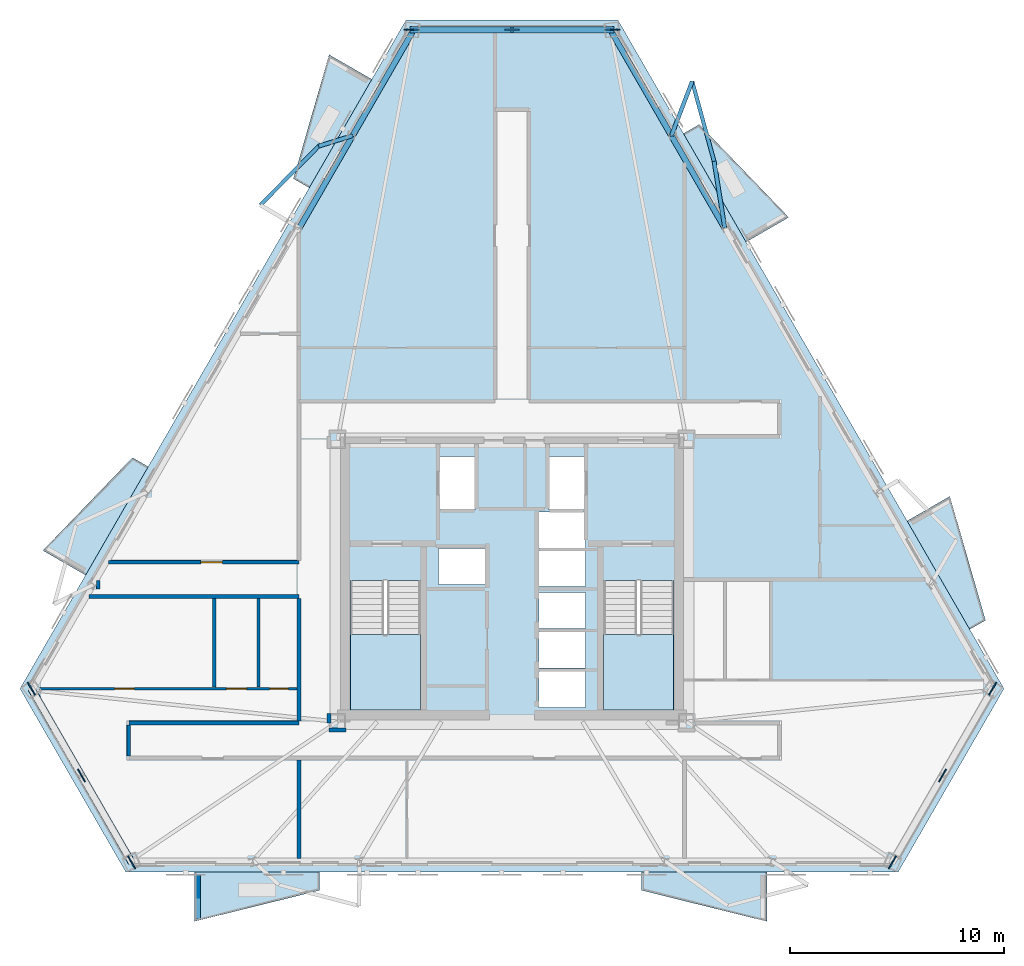
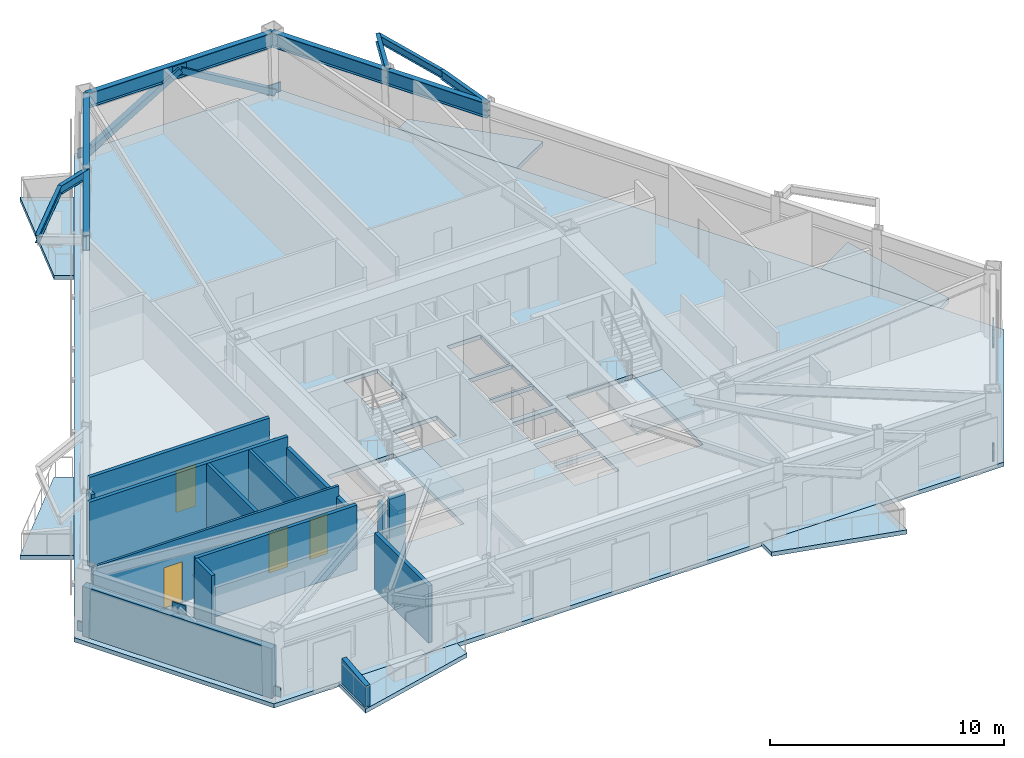
# One storey, part 2 of 9: 14 walls, 10 beams, 9 plates, 9 slabs, 4 doors, 2 members, 4 openings, 2 elements without a shape of their own.
"""IFC4 building model written with IfcOpenShell, lengths in metres."""

from ifc_helpers import new_model, si_unit, direction, frame, frame_2d, origin, origin_2d, place, context, subcontext, project, spatial, polyline, rectangle, hollow_rectangle, i_section, outline, extrude, material, layer, layer_set, material_profile, profile_set, type_object, element, fill, aggregate, save


model = new_model("IFC4")

# Units and contexts
model_context = context("Model", 3, precision=1e-05, world=origin(), true_north=direction((0.0, 1.0)))
body_context = subcontext(model_context, "Body", "Model", "MODEL_VIEW")
ifc_project = project(units=[si_unit("LENGTHUNIT", "METRE"), si_unit("AREAUNIT", "SQUARE_METRE"), si_unit("VOLUMEUNIT", "CUBIC_METRE"), si_unit("PLANEANGLEUNIT", "RADIAN"), si_unit("MASSUNIT", "GRAM", prefix="KILO")], contexts=[model_context])

# Site, building, storey
site_placement = place(None, origin())
site = spatial("IfcSite", under=ifc_project, at=site_placement, CompositionType="ELEMENT")
building_placement = place(site_placement, origin())
building = spatial("IfcBuilding", under=site, at=building_placement, Name="Oramaril Tower", CompositionType="ELEMENT")
storey_placement = place(building_placement, frame((0.0, 0.0, 153.0)))
storey = spatial("IfcBuildingStorey", under=building, at=storey_placement, Name="L40", CompositionType="ELEMENT", Elevation=153.0)

# Beams
ifc_material_1 = material(Name="Steel ASTM A572 Gr 50", Category="steel")
ifc_material_profile_1 = material_profile(ifc_material_1, i_section(OverallWidth=0.19091796875, OverallDepth=0.45703125, WebThickness=0.009033203125, FlangeThickness=0.014404296875, at=origin_2d()), Name="W18X50")
ifc_profile_set_1 = profile_set([ifc_material_profile_1], Name="Steel ASTM A572 Gr 50")
beam_type_1 = type_object("IfcBeamType", Name="BT-BB1", PredefinedType="BEAM", material=ifc_profile_set_1)
beam_1_placement = place(storey_placement, frame((47.440185546875, 34.06201171875, 3.151611328125), z_axis=(-0.157827718122, 0.987466663433, 0.0), x_axis=(-0.987466663433, -0.157827718122, 0.0)))
element("IfcBeam", 1, at=beam_1_placement, inside=storey, type_object=beam_type_1, Name="L40 Balcony Column-Framed Cantilever 04.1", PredefinedType="BEAM", context=body_context, shape_type="SweptSolid", body=[
    extrude(i_section(OverallWidth=0.19091796875, OverallDepth=0.45703125, WebThickness=0.009033203125, FlangeThickness=0.014404296875, at=origin_2d()), origin(), (0.0, 0.0, 1.0), 3.15869140625),
])
beam_2_placement = place(storey_placement, frame((44.947509765625, 38.37890625, 3.151611328125), z_axis=(0.357719031359, 0.933829264161, 0.0), x_axis=(-0.933829264161, 0.357719031359, 0.0)))
element("IfcBeam", 2, at=beam_2_placement, inside=storey, type_object=beam_type_1, Name="L40 Balcony Column-Framed Cantilever 04.2", PredefinedType="BEAM", context=body_context, shape_type="SweptSolid", body=[
    extrude(i_section(OverallWidth=0.19091796875, OverallDepth=0.45703125, WebThickness=0.009033203125, FlangeThickness=0.014404296875, at=origin_2d()), origin(), (0.0, 0.0, 1.0), 2.71435546875),
])
beam_3_placement = place(storey_placement, frame((30.052490234375, 38.37890625, 3.151611328125), z_axis=(-0.955622897752, -0.294592731228, 0.0), x_axis=(0.294592731228, -0.955622897752, 0.0)))
element("IfcBeam", 3, at=beam_3_placement, inside=storey, type_object=beam_type_1, Name="L40 Balcony Column-Framed Cantilever 05.1", PredefinedType="BEAM", context=body_context, shape_type="SweptSolid", body=[
    extrude(i_section(OverallWidth=0.19091796875, OverallDepth=0.45703125, WebThickness=0.009033203125, FlangeThickness=0.014404296875, at=origin_2d()), origin(), (0.0, 0.0, 1.0), 1.658203125),
])
ifc_material_2 = material(Name="Steel ASTM A572 Gr 50", Category="steel")
ifc_material_profile_2 = material_profile(ifc_material_2, i_section(OverallWidth=0.177978515625, OverallDepth=0.404052734375, WebThickness=0.007568359375, FlangeThickness=0.010986328125, at=origin_2d()), Name="W16X36")
ifc_profile_set_2 = profile_set([ifc_material_profile_2], Name="Steel ASTM A572 Gr 50")
beam_type_2 = type_object("IfcBeamType", Name="BT-SB1", PredefinedType="BEAM", material=ifc_profile_set_2)
for number, where, z_axis, x_axis, name in (
    (4, (46.941650390625, 37.18115234375, 3.177978515625), (-0.264382243015, 0.964417974521, 0.0), (-0.964417974521, -0.264382243015, 0.0), "L40 Balcony Edge Tie Beam 04"),
    (5, (28.4677734375, 37.890380859375, 3.177978515625), (-0.702994511648, -0.71119527318, 0.0), (0.71119527318, -0.702994511648, 0.0), "L40 Balcony Edge Tie Beam 05"),
):
    element("IfcBeam", number, at=place(storey_placement, frame(where, z_axis=z_axis, x_axis=x_axis)), inside=storey, type_object=beam_type_2, Name=name, PredefinedType="BEAM", context=body_context, shape_type="SweptSolid", body=[
        extrude(i_section(OverallWidth=0.177978515625, OverallDepth=0.404052734375, WebThickness=0.007568359375, FlangeThickness=0.010986328125, at=origin_2d()), origin(), (0.0, 0.0, 1.0), 3.8701171875),
    ])
ifc_material_3 = material(Name="Steel ASTM A572 Gr 50", Category="steel")
ifc_material_profile_3 = material_profile(ifc_material_3, i_section(OverallWidth=0.26708984375, OverallDepth=0.77001953125, WebThickness=0.015625, FlangeThickness=0.025390625, at=origin_2d()), Name="W30X132")
ifc_profile_set_3 = profile_set([ifc_material_profile_3], Name="Steel ASTM A572 Gr 50")
beam_type_3 = type_object("IfcBeamType", Name="BT-SP3", PredefinedType="SPANDREL", material=ifc_profile_set_3)
beam_4_placement = place(storey_placement, frame((47.440185546875, 34.06201171875, 2.9951171875), z_axis=(-0.500047477074, 0.865997991148, 0.0), x_axis=(-0.865997991148, -0.500047477074, 0.0)))
element("IfcBeam", 6, at=beam_4_placement, inside=storey, type_object=beam_type_3, Name="L40 Perimeter Spandrel 11", PredefinedType="SPANDREL", context=body_context, shape_type="SweptSolid", body=[
    extrude(i_section(OverallWidth=0.26708984375, OverallDepth=0.77001953125, WebThickness=0.015625, FlangeThickness=0.025390625, at=origin_2d()), origin(), (0.0, 0.0, 1.0), 4.98486328125),
])
beam_5_placement = place(storey_placement, frame((44.947509765625, 38.37890625, 2.9951171875), z_axis=(-0.49997841457, 0.866037865779, 0.0), x_axis=(-0.866037865779, -0.49997841457, 0.0)))
element("IfcBeam", 7, at=beam_5_placement, inside=storey, type_object=beam_type_3, Name="L40 Perimeter Spandrel 12", PredefinedType="SPANDREL", context=body_context, shape_type="SweptSolid", body=[
    extrude(i_section(OverallWidth=0.26708984375, OverallDepth=0.77001953125, WebThickness=0.015625, FlangeThickness=0.025390625, at=origin_2d()), origin(), (0.0, 0.0, 1.0), 5.697021484375),
])
beam_6_placement = place(storey_placement, frame((42.09912109375, 43.312744140625, 2.9951171875), z_axis=(-1.0, 0.0, 0.0), x_axis=(0.0, -1.0, 0.0)))
element("IfcBeam", 8, at=beam_6_placement, inside=storey, type_object=beam_type_3, Name="L40 Perimeter Spandrel 13", PredefinedType="SPANDREL", context=body_context, shape_type="SweptSolid", body=[
    extrude(i_section(OverallWidth=0.26708984375, OverallDepth=0.77001953125, WebThickness=0.015625, FlangeThickness=0.025390625, at=origin_2d()), origin(), (0.0, 0.0, 1.0), 9.1982421875),
])
beam_7_placement = place(storey_placement, frame((32.90087890625, 43.312744140625, 2.9951171875), z_axis=(-0.49997841457, -0.866037865779, 0.0), x_axis=(0.866037865779, -0.49997841457, 0.0)))
element("IfcBeam", 9, at=beam_7_placement, inside=storey, type_object=beam_type_3, Name="L40 Perimeter Spandrel 14", PredefinedType="SPANDREL", context=body_context, shape_type="SweptSolid", body=[
    extrude(i_section(OverallWidth=0.26708984375, OverallDepth=0.77001953125, WebThickness=0.015625, FlangeThickness=0.025390625, at=origin_2d()), origin(), (0.0, 0.0, 1.0), 5.697021484375),
])
beam_8_placement = place(storey_placement, frame((30.052490234375, 38.37890625, 2.9951171875), z_axis=(-0.500047477074, -0.865997991148, 0.0), x_axis=(0.865997991148, -0.500047477074, 0.0)))
element("IfcBeam", 10, at=beam_8_placement, inside=storey, type_object=beam_type_3, Name="L40 Perimeter Spandrel 15", PredefinedType="SPANDREL", context=body_context, shape_type="SweptSolid", body=[
    extrude(i_section(OverallWidth=0.26708984375, OverallDepth=0.77001953125, WebThickness=0.015625, FlangeThickness=0.025390625, at=origin_2d()), origin(), (0.0, 0.0, 1.0), 4.98486328125),
])

# Members
ifc_material_4 = material(Name="Steel ASTM A572 Gr 50", Category="steel")
ifc_material_profile_4 = material_profile(ifc_material_4, hollow_rectangle(XDim=0.300048828125, YDim=0.300048828125, WallThickness=0.01611328125, at=origin_2d()), Name="HSS300X300X16")
ifc_profile_set_4 = profile_set([ifc_material_profile_4], Name="Steel ASTM A572 Gr 50")
member_type = type_object("IfcMemberType", Name="MT-KB2", PredefinedType="BRACE", material=ifc_profile_set_4)
for number, where, z_axis, x_axis, name in (
    (11, (42.18212890625, 43.322021484375, 0.179931640625), (-0.857015453033, 0.0, 0.515290707526), (0.0, -1.0, 0.0), "L40 Perimeter Chevron Brace KB-3A"),
    (12, (32.81787109375, 43.322021484375, 0.179931640625), (0.857015453033, 0.0, 0.515290707526), (0.0, 1.0, 0.0), "L40 Perimeter Chevron Brace KB-3B"),
):
    element("IfcMember", number, at=place(storey_placement, frame(where, z_axis=z_axis, x_axis=x_axis)), inside=storey, type_object=member_type, Name=name, PredefinedType="BRACE", context=body_context, shape_type="SweptSolid", body=[
        extrude(hollow_rectangle(XDim=0.300048828125, YDim=0.300048828125, WallThickness=0.01611328125, at=origin_2d()), origin(), (0.0, 0.0, 1.0), 5.46337890625),
    ])

# Plates
ifc_material_5 = material(Name="Steel ASTM A572 Gr 50", Category="steel")
ifc_layer_1 = layer(ifc_material_5, 0.06005859375)
ifc_layer_set_1 = layer_set([ifc_layer_1], Name="PLT-G60")
plate_type = type_object("IfcPlateType", Name="PLT-G60", PredefinedType="USERDEFINED", material=ifc_layer_set_1)
for number, where, z_axis, x_axis, name in (
    (13, (17.38916015625, 8.489013671875, 2.755126953125), (0.0, 0.0, 1.0), (0.5, -0.866025403784, 0.0), "L40 Chevron Brace Gusset Plate BN-1"),
    (14, (15.048095703125, 12.5439453125, 0.10009765625), (0.0, 0.0, 1.0), (0.5, -0.866025403784, 0.0), "L40 Chevron Brace Gusset Plate BN-1"),
    (15, (19.730224609375, 4.43408203125, 0.10009765625), (0.0, 0.0, 1.0), (0.5, -0.866025403784, 0.0), "L40 Chevron Brace Gusset Plate BN-1"),
    (16, (57.61083984375, 8.489013671875, 2.755126953125), (0.0, 0.0, 1.0), (0.5, 0.866025403784, 0.0), "L40 Chevron Brace Gusset Plate BN-1"),
    (17, (55.269775390625, 4.43408203125, 0.10009765625), (0.0, 0.0, 1.0), (0.5, 0.866025403784, 0.0), "L40 Chevron Brace Gusset Plate BN-1"),
    (18, (59.951904296875, 12.5439453125, 0.10009765625), (0.0, 0.0, 1.0), (0.5, 0.866025403784, 0.0), "L40 Chevron Brace Gusset Plate BN-1"),
    (19, (37.5, 43.322021484375, 2.755126953125), (0.0, 0.0, 1.0), (-1.0, 0.0, 0.0), "L40 Chevron Brace Gusset Plate BN-1"),
    (20, (42.18212890625, 43.322021484375, 0.10009765625), (0.0, 0.0, 1.0), (-1.0, 0.0, 0.0), "L40 Chevron Brace Gusset Plate BN-1"),
    (21, (32.81787109375, 43.322021484375, 0.10009765625), (0.0, 0.0, 1.0), (-1.0, 0.0, 0.0), "L40 Chevron Brace Gusset Plate BN-1"),
):
    element("IfcPlate", number, at=place(storey_placement, frame(where, z_axis=z_axis, x_axis=x_axis)), inside=storey, type_object=plate_type, Name=name, ObjectType="GUSSET", PredefinedType="USERDEFINED", context=body_context, shape_type="SweptSolid", body=[
        extrude(rectangle(XDim=0.679931640625, YDim=0.06005859375, at=origin_2d()), origin(), (0.0, 0.0, 1.0), 0.47998046875),
    ])

# Slabs
ifc_material_6 = material(Name="Concrete C40/50", Category="concrete")
ifc_layer_2 = layer(ifc_material_6, 0.199951171875)
ifc_layer_set_2 = layer_set([ifc_layer_2], Name="SLT-BAL20")
slab_type_1 = type_object("IfcSlabType", Name="SLT-BAL20", PredefinedType="FLOOR", material=ifc_layer_set_2)
slab_1_placement = place(storey_placement, frame((0.0, 0.0, -0.219970703125)))
element("IfcSlab", 22, at=slab_1_placement, inside=storey, type_object=slab_type_1, Name="L40 Cantilevered Balcony Slab L40-BAL-S2", PredefinedType="FLOOR", context=body_context, shape_type="SweptSolid", body=[
    extrude(outline(polyline([(43.560302734375, 3.97607421875), (49.410400390625, 3.97607421875), (49.410400390625, 1.674072265625), (43.560302734375, 3.1240234375), (43.560302734375, 3.97607421875)])), origin(), (0.0, 0.0, 1.0), 0.219970703125),
])
slab_2_placement = place(storey_placement, frame((0.0, 0.0, -0.219970703125)))
element("IfcSlab", 23, at=slab_2_placement, inside=storey, type_object=slab_type_1, Name="L40 Cantilevered Balcony Slab L40-BAL-NE1", PredefinedType="FLOOR", context=body_context, shape_type="SweptSolid", body=[
    extrude(outline(polyline([(58.881591796875, 15.314208984375), (55.95654296875, 20.38037109375), (57.9501953125, 21.531494140625), (59.619384765625, 15.740234375), (58.881591796875, 15.314208984375)])), origin(), (0.0, 0.0, 1.0), 0.219970703125),
])
slab_3_placement = place(storey_placement, frame((0.0, 0.0, -0.219970703125)))
element("IfcSlab", 24, at=slab_3_placement, inside=storey, type_object=slab_type_1, Name="L40 Cantilevered Balcony Slab L40-BAL-NW2", PredefinedType="FLOOR", context=body_context, shape_type="SweptSolid", body=[
    extrude(outline(polyline([(20.506103515625, 22.91357421875), (17.5810546875, 17.847412109375), (15.58740234375, 18.998291015625), (19.768310546875, 23.339599609375), (20.506103515625, 22.91357421875)])), origin(), (0.0, 0.0, 1.0), 0.219970703125),
])
ifc_material_7 = material(Name="Concrete C50/60", Category="concrete")
ifc_layer_3 = layer(ifc_material_7, 0.219970703125)
ifc_layer_set_3 = layer_set([ifc_layer_3], Name="SLT-FLR22")
slab_type_2 = type_object("IfcSlabType", Name="SLT-FLR22", PredefinedType="FLOOR", material=ifc_layer_set_3)
slab_4_placement = place(storey_placement, frame((0.0, 0.0, -0.219970703125)))
element("IfcSlab", 25, at=slab_4_placement, inside=storey, type_object=slab_type_2, Name="L40 Structural Floor Slab", PredefinedType="FLOOR", context=body_context, shape_type="SweptSolid", body=[
    extrude(outline(polyline([(14.516845703125, 12.5439453125), (19.464599609375, 3.97412109375), (55.535400390625, 3.97412109375), (60.483154296875, 12.5439453125), (42.44775390625, 43.781982421875), (32.55224609375, 43.781982421875), (14.516845703125, 12.5439453125)]), holes=[polyline([(29.949951171875, 17.58935546875), (29.949951171875, 11.550048828125), (33.219970703125, 11.550048828125), (33.219970703125, 17.58935546875), (29.949951171875, 17.58935546875)]), polyline([(41.780029296875, 17.58935546875), (41.780029296875, 11.550048828125), (45.050048828125, 11.550048828125), (45.050048828125, 17.58935546875), (41.780029296875, 17.58935546875)]), polyline([(34.110107421875, 20.909912109375), (35.7900390625, 20.909912109375), (35.7900390625, 23.389892578125), (34.110107421875, 23.389892578125), (34.110107421875, 20.909912109375)]), polyline([(39.2099609375, 20.909912109375), (40.889892578125, 20.909912109375), (40.889892578125, 23.389892578125), (39.2099609375, 23.389892578125), (39.2099609375, 20.909912109375)]), polyline([(38.760009765625, 11.659912109375), (40.93994140625, 11.659912109375), (40.93994140625, 13.340087890625), (38.760009765625, 13.340087890625), (38.760009765625, 11.659912109375)]), polyline([(38.760009765625, 13.510009765625), (40.93994140625, 13.510009765625), (40.93994140625, 15.18994140625), (38.760009765625, 15.18994140625), (38.760009765625, 13.510009765625)]), polyline([(38.760009765625, 15.360107421875), (40.93994140625, 15.360107421875), (40.93994140625, 17.0400390625), (38.760009765625, 17.0400390625), (38.760009765625, 15.360107421875)]), polyline([(34.06005859375, 17.409912109375), (36.239990234375, 17.409912109375), (36.239990234375, 19.090087890625), (34.06005859375, 19.090087890625), (34.06005859375, 17.409912109375)]), polyline([(38.760009765625, 17.31005859375), (40.93994140625, 17.31005859375), (40.93994140625, 18.989990234375), (38.760009765625, 18.989990234375), (38.760009765625, 17.31005859375)]), polyline([(38.760009765625, 19.110107421875), (40.93994140625, 19.110107421875), (40.93994140625, 20.7900390625), (38.760009765625, 20.7900390625), (38.760009765625, 19.110107421875)])]), origin(), (0.0, 0.0, 1.0), 0.219970703125),
])

# Stair, slab
ifc_material_8 = material(Name="Concrete C50/60", Category="concrete")
stair_type = type_object("IfcStairType", Name="STT-DG-3600", PredefinedType="HALF_TURN_STAIR", material=ifc_material_8)
stair_1_placement = place(storey_placement, origin())
stair_1 = element("IfcStair", 26, at=stair_1_placement, inside=storey, type_object=stair_type, Name="L40 Protected PFP Exit Stair ST-1", PredefinedType="HALF_TURN_STAIR")
ifc_material_9 = material(Name="Concrete C50/60", Category="concrete")
ifc_layer_4 = layer(ifc_material_9, 0.199951171875)
ifc_layer_set_4 = layer_set([ifc_layer_4], Name="SLT-LND20")
slab_type_3 = type_object("IfcSlabType", Name="SLT-LND20", PredefinedType="LANDING", material=ifc_layer_set_4)
slab_5_placement = place(storey_placement, frame((0.0, 0.0, 1.60009765625)))
slab_5 = element("IfcSlab", 27, at=slab_5_placement, type_object=slab_type_3, Name="ST-1 landing 1", PredefinedType="LANDING", context=body_context, shape_type="SweptSolid", body=[
    extrude(outline(polyline([(29.949951171875, 15.070068359375), (29.949951171875, 11.550048828125), (33.219970703125, 11.550048828125), (33.219970703125, 15.070068359375), (29.949951171875, 15.070068359375)])), origin(), (0.0, 0.0, 1.0), 0.199951171875),
])
aggregate(stair_1, [slab_5])

stair_2_placement = place(storey_placement, origin())
stair_2 = element("IfcStair", 28, at=stair_2_placement, inside=storey, type_object=stair_type, Name="L40 Protected PFP Exit Stair ST-2", PredefinedType="HALF_TURN_STAIR")
slab_6_placement = place(storey_placement, frame((0.0, 0.0, 1.60009765625)))
slab_6 = element("IfcSlab", 29, at=slab_6_placement, type_object=slab_type_3, Name="ST-2 landing 1", PredefinedType="LANDING", context=body_context, shape_type="SweptSolid", body=[
    extrude(outline(polyline([(41.780029296875, 15.070068359375), (41.780029296875, 11.550048828125), (45.050048828125, 11.550048828125), (45.050048828125, 15.070068359375), (41.780029296875, 15.070068359375)])), origin(), (0.0, 0.0, 1.0), 0.199951171875),
])
aggregate(stair_2, [slab_6])

# Slabs
ifc_material_10 = material(Name="Concrete C40/50", Category="concrete")
ifc_layer_5 = layer(ifc_material_10, 0.18994140625)
ifc_layer_set_5 = layer_set([ifc_layer_5], Name="SLT-PLN19")
slab_type_4 = type_object("IfcSlabType", Name="SLT-PLN19", PredefinedType="FLOOR", material=ifc_layer_set_5)
slab_7_placement = place(storey_placement, frame((0.0, 0.0, -0.219970703125)))
element("IfcSlab", 30, at=slab_7_placement, inside=storey, type_object=slab_type_4, Name="L40 Tree Planter Balcony Slab L40-BAL-S1", PredefinedType="FLOOR", context=body_context, shape_type="SweptSolid", body=[
    extrude(outline(polyline([(22.66455078125, 3.97607421875), (28.5146484375, 3.97607421875), (28.5146484375, 3.1240234375), (22.66455078125, 1.674072265625), (22.66455078125, 3.97607421875)])), origin(), (0.0, 0.0, 1.0), 0.219970703125),
])
slab_8_placement = place(storey_placement, frame((0.0, 0.0, -0.219970703125)))
element("IfcSlab", 31, at=slab_8_placement, inside=storey, type_object=slab_type_4, Name="L40 Tree Planter Balcony Slab L40-BAL-NE2", PredefinedType="FLOOR", context=body_context, shape_type="SweptSolid", body=[
    extrude(outline(polyline([(48.43359375, 33.410400390625), (45.508544921875, 38.476806640625), (46.246337890625, 38.902587890625), (50.42724609375, 34.561279296875), (48.43359375, 33.410400390625)])), origin(), (0.0, 0.0, 1.0), 0.219970703125),
])
slab_9_placement = place(storey_placement, frame((0.0, 0.0, -0.219970703125)))
element("IfcSlab", 32, at=slab_9_placement, inside=storey, type_object=slab_type_4, Name="L40 Tree Planter Balcony Slab L40-BAL-NW1", PredefinedType="FLOOR", context=body_context, shape_type="SweptSolid", body=[
    extrude(outline(polyline([(30.953857421875, 41.009765625), (28.02880859375, 35.943603515625), (27.291015625, 36.36962890625), (28.960205078125, 42.160888671875), (30.953857421875, 41.009765625)])), origin(), (0.0, 0.0, 1.0), 0.219970703125),
])

# Walls
ifc_material_11 = material(Name="Warm Cream Limestone", Category="masonry")
ifc_layer_6 = layer(ifc_material_11, 0.340087890625)
ifc_layer_set_6 = layer_set([ifc_layer_6], Name="WT-EXT34")
wall_type_1 = type_object("IfcWallType", Name="WT-EXT34", PredefinedType="SOLIDWALL", material=ifc_layer_set_6)
wall_1_placement = place(storey_placement, frame((15.048095703125, 12.5439453125, 0.0), z_axis=(0.0, 0.0, 1.0), x_axis=(0.499991763293, -0.866030159197, 0.0)))
element("IfcWall", 33, at=wall_1_placement, inside=storey, type_object=wall_type_1, Name="L40 Tower Limestone Facade Wall 1M", PredefinedType="SOLIDWALL", context=body_context, shape_type="SweptSolid", body=[
    extrude(rectangle(XDim=9.364501953125, YDim=0.340087890625, at=frame_2d((4.68212890625, 0.0))), origin(), (0.0, 0.0, 1.0), 2.60009765625),
])
ifc_material_12 = material(Name="Concrete C40/50", Category="concrete")
ifc_layer_7 = layer(ifc_material_12, 0.22998046875)
ifc_layer_set_7 = layer_set([ifc_layer_7], Name="WT-PRP23")
wall_type_2 = type_object("IfcWallType", Name="WT-PRP23", PredefinedType="PARAPET", material=ifc_layer_set_7)
wall_2_placement = place(storey_placement, frame((22.844482421875, 3.836181640625, 0.0), z_axis=(0.0, 0.0, 1.0), x_axis=(0.0, -1.0, 0.0)))
element("IfcWall", 34, at=wall_2_placement, inside=storey, type_object=wall_type_2, Name="L40 Trapezoidal Balcony Frame Cheek L40-BAL-S1-L", PredefinedType="PARAPET", context=body_context, shape_type="SweptSolid", body=[
    extrude(outline(polyline([(0.0, 0.0), (2.0419921875, 0.0), (2.0419921875, 1.10009765625), (0.0, 1.320068359375), (0.0, 0.0)])), frame((0.0, 0.114990234375, 0.0), z_axis=(0.0, -1.0, 0.0), x_axis=(1.0, 0.0, 0.0)), (0.0, 0.0, 1.0), 0.22998046875),
])

# Wall, openings, doors
ifc_material_13 = material(Name="Acoustic Gypsum Board Partition")
ifc_layer_8 = layer(ifc_material_13, 0.1201171875)
ifc_layer_set_8 = layer_set([ifc_layer_8], Name="WT-PT12")
wall_type_3 = type_object("IfcWallType", Name="WT-PT12", PredefinedType="PARTITIONING", material=ifc_layer_set_8)
wall_3_placement = place(storey_placement, frame((15.437744140625, 12.550048828125, 0.0), z_axis=(0.0, 0.0, 1.0), x_axis=(1.0, 0.0, 0.0)))
wall_3 = element("IfcWall", 35, at=wall_3_placement, inside=storey, type_object=wall_type_3, Name="L40 Interior Partition PT-12", PredefinedType="PARTITIONING", context=body_context, shape_type="SweptSolid", body=[
    extrude(rectangle(XDim=12.162353515625, YDim=0.1201171875, at=frame_2d((6.0810546875, 0.0))), origin(), (0.0, 0.0, 1.0), 3.3798828125),
])
opening_1_placement = place(wall_3_placement, frame((3.50048828125, 0.0, 0.0)))
opening_1 = element("IfcOpeningElement", 36, at=opening_1_placement, cuts=wall_3, Name="Opening D-L40-04", PredefinedType="OPENING", context=body_context, shape_type="SweptSolid", body=[
    extrude(rectangle(XDim=0.919921875, YDim=2.1201171875, at=frame_2d((0.4599609375, 1.06005859375))), frame((0.0, 0.06005859375, 0.0), z_axis=(0.0, -1.0, 0.0), x_axis=(1.0, 0.0, 0.0)), (0.0, 0.0, 1.0), 0.1201171875),
])
opening_2_placement = place(wall_3_placement, frame((8.714111328125, 0.0, 0.0)))
opening_2 = element("IfcOpeningElement", 37, at=opening_2_placement, cuts=wall_3, Name="Opening D-L40-05", PredefinedType="OPENING", context=body_context, shape_type="SweptSolid", body=[
    extrude(rectangle(XDim=0.949951171875, YDim=2.10009765625, at=frame_2d((0.47509765625, 1.050048828125))), frame((0.0, 0.06005859375, 0.0), z_axis=(0.0, -1.0, 0.0), x_axis=(1.0, 0.0, 0.0)), (0.0, 0.0, 1.0), 0.1201171875),
])
opening_3_placement = place(wall_3_placement, frame((10.738037109375, 0.0, 0.0)))
opening_3 = element("IfcOpeningElement", 38, at=opening_3_placement, cuts=wall_3, Name="Opening D-L40-06", PredefinedType="OPENING", context=body_context, shape_type="SweptSolid", body=[
    extrude(rectangle(XDim=0.8798828125, YDim=2.080078125, at=frame_2d((0.43994140625, 1.0400390625))), frame((0.0, 0.06005859375, 0.0), z_axis=(0.0, -1.0, 0.0), x_axis=(1.0, 0.0, 0.0)), (0.0, 0.0, 1.0), 0.1201171875),
])
ifc_material_14 = material(Name="FSC Brazilian Freijo Hardwood", Category="wood")
door_type_1 = type_object("IfcDoorType", Name="DT-BATH", OperationType="NOTDEFINED", PredefinedType="DOOR", material=ifc_material_14)
door_1_placement = place(opening_3_placement, origin())
door_1 = element("IfcDoor", 39, at=door_1_placement, inside=storey, type_object=door_type_1, Name="L40 Flat L40-U2 Bathroom Door D-L40-06", OperationType="SINGLE_SWING_RIGHT", OverallHeight=2.080078125, OverallWidth=0.8798828125, PredefinedType="DOOR", context=body_context, shape_type="SweptSolid", body=[
    extrude(rectangle(XDim=0.8798828125, YDim=2.080078125, at=frame_2d((0.43994140625, 1.0400390625))), frame((0.0, 0.02490234375, 0.0), z_axis=(0.0, -1.0, 0.0), x_axis=(1.0, 0.0, 0.0)), (0.0, 0.0, 1.0), 0.050048828125),
])
fill(opening_3, door_1)
ifc_material_15 = material(Name="FSC Brazilian Freijo Hardwood", Category="wood")
door_type_2 = type_object("IfcDoorType", Name="DT-BED", OperationType="NOTDEFINED", PredefinedType="DOOR", material=ifc_material_15)
door_2_placement = place(opening_1_placement, origin())
door_2 = element("IfcDoor", 40, at=door_2_placement, inside=storey, type_object=door_type_2, Name="L40 Flat L40-U2 Master Bedroom Door D-L40-04", OperationType="SINGLE_SWING_RIGHT", OverallHeight=2.1201171875, OverallWidth=0.919921875, PredefinedType="DOOR", context=body_context, shape_type="SweptSolid", body=[
    extrude(rectangle(XDim=0.919921875, YDim=2.1201171875, at=frame_2d((0.4599609375, 1.06005859375))), frame((0.0, 0.02490234375, 0.0), z_axis=(0.0, -1.0, 0.0), x_axis=(1.0, 0.0, 0.0)), (0.0, 0.0, 1.0), 0.050048828125),
])
fill(opening_1, door_2)
ifc_material_16 = material(Name="FSC Brazilian Freijo Hardwood", Category="wood")
door_type_3 = type_object("IfcDoorType", Name="DT-STDY", OperationType="NOTDEFINED", PredefinedType="DOOR", material=ifc_material_16)
door_3_placement = place(opening_2_placement, origin())
door_3 = element("IfcDoor", 41, at=door_3_placement, inside=storey, type_object=door_type_3, Name="L40 Flat L40-U2 Kitchen Door D-L40-05", OperationType="SINGLE_SWING_LEFT", OverallHeight=2.10009765625, OverallWidth=0.949951171875, PredefinedType="DOOR", context=body_context, shape_type="SweptSolid", body=[
    extrude(rectangle(XDim=0.949951171875, YDim=2.10009765625, at=frame_2d((0.47509765625, 1.050048828125))), frame((0.0, 0.02490234375, 0.0), z_axis=(0.0, -1.0, 0.0), x_axis=(1.0, 0.0, 0.0)), (0.0, 0.0, 1.0), 0.050048828125),
])
fill(opening_2, door_3)

# Walls
ifc_material_17 = material(Name="Acoustic Gypsum Board Partition")
ifc_layer_9 = layer(ifc_material_17, 0.139892578125)
ifc_layer_set_9 = layer_set([ifc_layer_9], Name="WT-PT14")
wall_type_4 = type_object("IfcWallType", Name="WT-PT14", PredefinedType="PARTITIONING", material=ifc_layer_set_9)
wall_4_placement = place(storey_placement, frame((25.64990234375, 12.614013671875, 0.0), z_axis=(0.0, 0.0, 1.0), x_axis=(0.0, 1.0, 0.0)))
element("IfcWall", 42, at=wall_4_placement, inside=storey, type_object=wall_type_4, Name="L40 Interior Partition PT-14", PredefinedType="PARTITIONING", context=body_context, shape_type="SweptSolid", body=[
    extrude(rectangle(XDim=4.14208984375, YDim=0.139892578125, at=frame_2d((2.071044921875, 0.0))), origin(), (0.0, 0.0, 1.0), 3.3798828125),
])
ifc_material_18 = material(Name="Acoustic Gypsum Board Partition")
ifc_layer_10 = layer(ifc_material_18, 0.159912109375)
ifc_layer_set_10 = layer_set([ifc_layer_10], Name="WT-PT16")
wall_type_5 = type_object("IfcWallType", Name="WT-PT16", PredefinedType="PARTITIONING", material=ifc_layer_set_10)
wall_5_placement = place(storey_placement, frame((23.60009765625, 12.614013671875, 0.0), z_axis=(0.0, 0.0, 1.0), x_axis=(0.0, 1.0, 0.0)))
element("IfcWall", 43, at=wall_5_placement, inside=storey, type_object=wall_type_5, Name="L40 Interior Partition PT-16", PredefinedType="PARTITIONING", context=body_context, shape_type="SweptSolid", body=[
    extrude(rectangle(XDim=4.14208984375, YDim=0.159912109375, at=frame_2d((2.071044921875, 0.0))), origin(), (0.0, 0.0, 1.0), 3.3798828125),
])
ifc_material_19 = material(Name="Autoclaved Cellular Concrete Block", Category="concrete")
ifc_layer_11 = layer(ifc_material_19, 0.179931640625)
ifc_layer_set_11 = layer_set([ifc_layer_11], Name="WT-PT18")
wall_type_6 = type_object("IfcWallType", Name="WT-PT18", PredefinedType="PARTITIONING", material=ifc_layer_set_11)
wall_6_placement = place(storey_placement, frame((28.9599609375, 10.610107421875, 0.0), z_axis=(0.0, 0.0, 1.0), x_axis=(1.0, 0.0, 0.0)))
element("IfcWall", 44, at=wall_6_placement, inside=storey, type_object=wall_type_6, Name="L40 Interior Partition PT-18", PredefinedType="PARTITIONING", context=body_context, shape_type="SweptSolid", body=[
    extrude(rectangle(XDim=0.780029296875, YDim=0.179931640625, at=frame_2d((0.39013671875, 0.0))), origin(), (0.0, 0.0, 1.0), 3.3798828125),
])
wall_7_placement = place(storey_placement, frame((19.60009765625, 10.949951171875, 0.0), z_axis=(0.0, 0.0, 1.0), x_axis=(1.0, 0.0, 0.0)))
element("IfcWall", 45, at=wall_7_placement, inside=storey, type_object=wall_type_6, Name="L40 Interior Partition PT-18", PredefinedType="PARTITIONING", context=body_context, shape_type="SweptSolid", body=[
    extrude(rectangle(XDim=7.949951171875, YDim=0.179931640625, at=frame_2d((3.97509765625, 0.0))), origin(), (0.0, 0.0, 1.0), 3.3798828125),
])
wall_8_placement = place(storey_placement, frame((17.735107421875, 16.85009765625, 0.0), z_axis=(0.0, 0.0, 1.0), x_axis=(1.0, 0.0, 0.0)))
element("IfcWall", 46, at=wall_8_placement, inside=storey, type_object=wall_type_6, Name="L40 Interior Partition PT-18", PredefinedType="PARTITIONING", context=body_context, shape_type="SweptSolid", body=[
    extrude(rectangle(XDim=9.81494140625, YDim=0.179931640625, at=frame_2d((4.907470703125, 0.0))), origin(), (0.0, 0.0, 1.0), 3.3798828125),
])

# Wall, opening, door
wall_9_placement = place(storey_placement, frame((18.65869140625, 18.449951171875, 0.0), z_axis=(0.0, 0.0, 1.0), x_axis=(1.0, 0.0, 0.0)))
wall_9 = element("IfcWall", 47, at=wall_9_placement, inside=storey, type_object=wall_type_6, Name="L40 Interior Partition PT-18", PredefinedType="PARTITIONING", context=body_context, shape_type="SweptSolid", body=[
    extrude(rectangle(XDim=8.891357421875, YDim=0.179931640625, at=frame_2d((4.44580078125, 0.0))), origin(), (0.0, 0.0, 1.0), 3.3798828125),
])
opening_4_placement = place(wall_9_placement, frame((4.30615234375, 0.0, 0.0)))
opening_4 = element("IfcOpeningElement", 48, at=opening_4_placement, cuts=wall_9, Name="Opening D-L40-10", PredefinedType="OPENING", context=body_context, shape_type="SweptSolid", body=[
    extrude(rectangle(XDim=1.0, YDim=2.179931640625, at=frame_2d((0.5, 1.08984375))), frame((0.0, 0.08984375, 0.0), z_axis=(0.0, -1.0, 0.0), x_axis=(1.0, 0.0, 0.0)), (0.0, 0.0, 1.0), 0.179931640625),
])
ifc_material_20 = material(Name="FSC Brazilian Freijo Hardwood", Category="wood")
door_type_4 = type_object("IfcDoorType", Name="DT-APT", OperationType="NOTDEFINED", PredefinedType="DOOR", material=ifc_material_20)
door_4_placement = place(opening_4_placement, origin())
door_4 = element("IfcDoor", 49, at=door_4_placement, inside=storey, type_object=door_type_4, Name="L40 Flat L40-U3 Kitchen and Studio Apartment Door D-L40-10", OperationType="SINGLE_SWING_RIGHT", OverallHeight=2.179931640625, OverallWidth=1.0, PredefinedType="DOOR", context=body_context, shape_type="SweptSolid", body=[
    extrude(rectangle(XDim=1.0, YDim=2.179931640625, at=frame_2d((0.5, 1.08984375))), frame((0.0, 0.02490234375, 0.0), z_axis=(0.0, -1.0, 0.0), x_axis=(1.0, 0.0, 0.0)), (0.0, 0.0, 1.0), 0.050048828125),
])
fill(opening_4, door_4)

# Walls
wall_10_placement = place(storey_placement, frame((18.169921875, 17.19091796875, 0.0), z_axis=(0.0, 0.0, 1.0), x_axis=(0.0, 1.0, 0.0)))
element("IfcWall", 50, at=wall_10_placement, inside=storey, type_object=wall_type_6, Name="L40 Interior Partition PT-18", PredefinedType="PARTITIONING", context=body_context, shape_type="SweptSolid", body=[
    extrude(rectangle(XDim=0.41259765625, YDim=0.179931640625, at=frame_2d((0.206298828125, 0.0))), origin(), (0.0, 0.0, 1.0), 3.3798828125),
])
wall_11_placement = place(storey_placement, frame((19.60009765625, 9.39404296875, 0.0), z_axis=(0.0, 0.0, 1.0), x_axis=(0.0, 1.0, 0.0)))
element("IfcWall", 51, at=wall_11_placement, inside=storey, type_object=wall_type_6, Name="L40 Interior Partition PT-18", PredefinedType="PARTITIONING", context=body_context, shape_type="SweptSolid", body=[
    extrude(rectangle(XDim=1.4619140625, YDim=0.179931640625, at=frame_2d((0.73095703125, 0.0))), origin(), (0.0, 0.0, 1.0), 3.3798828125),
])
wall_12_placement = place(storey_placement, frame((27.550048828125, 4.608154296875, 0.0), z_axis=(0.0, 0.0, 1.0), x_axis=(0.0, 1.0, 0.0)))
element("IfcWall", 52, at=wall_12_placement, inside=storey, type_object=wall_type_6, Name="L40 Interior Partition PT-18", PredefinedType="PARTITIONING", context=body_context, shape_type="SweptSolid", body=[
    extrude(rectangle(XDim=4.597900390625, YDim=0.179931640625, at=frame_2d((2.298828125, 0.0))), origin(), (0.0, 0.0, 1.0), 2.966064453125),
])
wall_13_placement = place(storey_placement, frame((27.550048828125, 11.0439453125, 0.0), z_axis=(0.0, 0.0, 1.0), x_axis=(0.0, 1.0, 0.0)))
element("IfcWall", 53, at=wall_13_placement, inside=storey, type_object=wall_type_6, Name="L40 Interior Partition PT-18", PredefinedType="PARTITIONING", context=body_context, shape_type="SweptSolid", body=[
    extrude(rectangle(XDim=5.712158203125, YDim=0.179931640625, at=frame_2d((2.85595703125, 0.0))), origin(), (0.0, 0.0, 1.0), 2.842041015625),
])
wall_14_placement = place(storey_placement, frame((28.949951171875, 10.949951171875, 0.0), z_axis=(0.0, 0.0, 1.0), x_axis=(0.0, 1.0, 0.0)))
element("IfcWall", 54, at=wall_14_placement, inside=storey, type_object=wall_type_6, Name="L40 Interior Partition PT-18", PredefinedType="PARTITIONING", context=body_context, shape_type="SweptSolid", body=[
    extrude(rectangle(XDim=0.445068359375, YDim=0.179931640625, at=frame_2d((0.22265625, 0.0))), origin(), (0.0, 0.0, 1.0), 2.842041015625),
])

save(model, "model.ifc")
